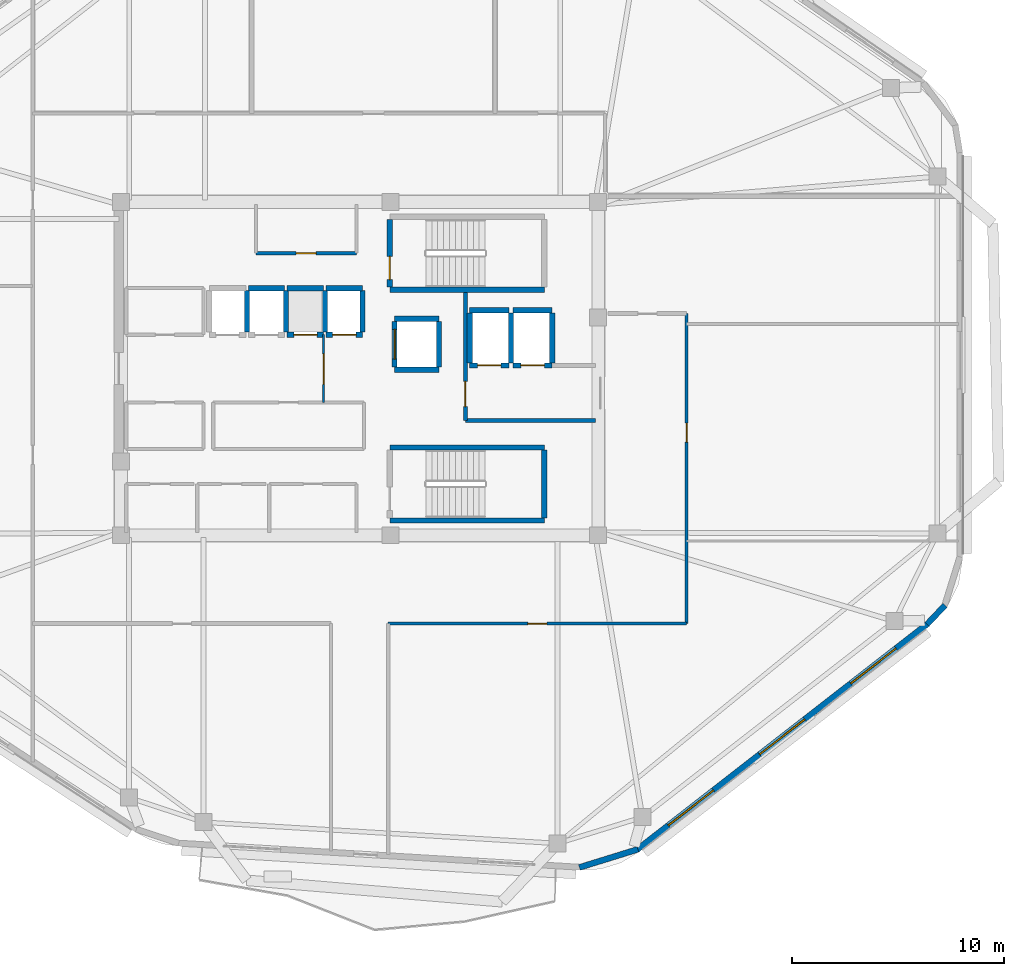
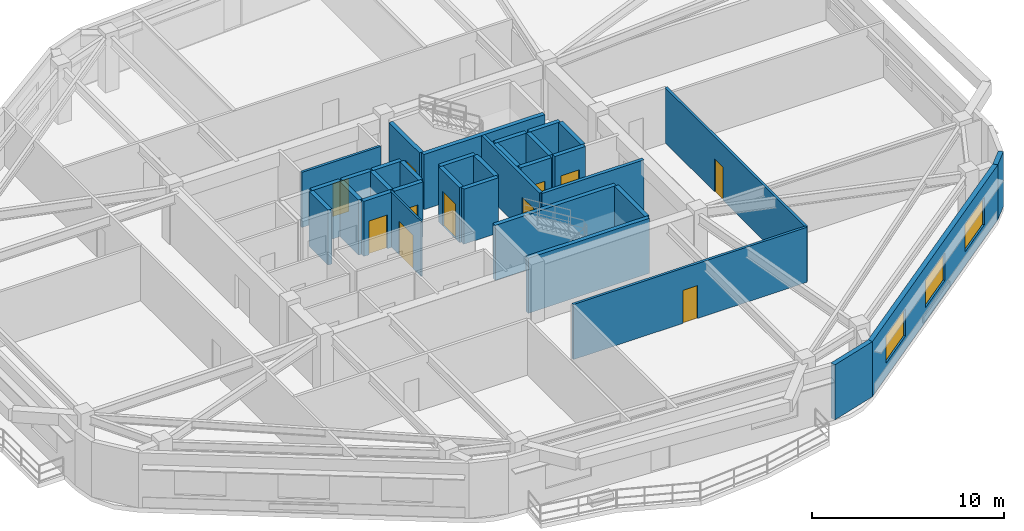
# One storey, part 4 of 10: 34 walls, 11 doors, 3 windows, 14 openings.
"""IFC4 building model written with IfcOpenShell, lengths in metres."""

from ifc_helpers import new_model, si_unit, direction, frame, frame_2d, origin, place, context, subcontext, project, spatial, rectangle, extrude, material, layer, layer_set, type_object, element, fill, save


model = new_model("IFC4")

# Units and contexts
model_context = context("Model", 3, precision=1e-05, world=origin(), true_north=direction((0.0, 1.0)))
body_context = subcontext(model_context, "Body", "Model", "MODEL_VIEW")
ifc_project = project(units=[si_unit("LENGTHUNIT", "METRE"), si_unit("AREAUNIT", "SQUARE_METRE"), si_unit("VOLUMEUNIT", "CUBIC_METRE"), si_unit("PLANEANGLEUNIT", "RADIAN"), si_unit("MASSUNIT", "GRAM", prefix="KILO")], contexts=[model_context])

# Site, building, storey
site_placement = place(None, origin())
site = spatial("IfcSite", under=ifc_project, at=site_placement, CompositionType="ELEMENT")
building_placement = place(site_placement, origin())
building = spatial("IfcBuilding", under=site, at=building_placement, Name="Zulverin Broadcast Headquarters", CompositionType="ELEMENT")
storey_placement = place(building_placement, frame((0.0, 0.0, 236.39990234375)))
storey = spatial("IfcBuildingStorey", under=building, at=storey_placement, Name="L60", CompositionType="ELEMENT", Elevation=236.39990234375)

# Wall, openings, windows
ifc_material_1 = material(Name="Insulated pale-metal clad concrete spandrel C40/50", Category="concrete")
ifc_layer_1 = layer(ifc_material_1, 0.280029296875, Name="Insulated pale-metal clad concrete spandrel C40/50", Category="concrete")
ifc_layer_set_1 = layer_set([ifc_layer_1], Name="Insulated pale-metal clad concrete spandrel C40/50")
wall_type_1 = type_object("IfcWallType", Name="WL-EXT-280", PredefinedType="STANDARD", material=ifc_layer_set_1)
wall_1_placement = place(storey_placement, frame((50.10400390625, 2.458984375, 0.0), z_axis=(0.0, 0.0, 1.0), x_axis=(0.789464857485, 0.613795763097, 0.0)))
wall_1 = element("IfcWall", 1, at=wall_1_placement, inside=storey, type_object=wall_type_1, Name="L60 Pale-Metal Clad Spandrel Wall 2", PredefinedType="STANDARD", context=body_context, shape_type="SweptSolid", body=[
    extrude(rectangle(XDim=17.387451171875, YDim=0.280029296875, at=frame_2d((8.69384765625, 0.0))), origin(), (0.0, 0.0, 1.0), 3.510009765625),
])
opening_1_placement = place(wall_1_placement, frame((1.881103515625, 0.0, 0.89990234375)))
opening_1 = element("IfcOpeningElement", 2, at=opening_1_placement, cuts=wall_1, Name="Opening W-L60-E21", PredefinedType="OPENING", context=body_context, shape_type="SweptSolid", body=[
    extrude(rectangle(XDim=2.699951171875, YDim=1.75, at=frame_2d((1.35009765625, 0.875))), frame((0.0, 0.14990234375, 0.0), z_axis=(0.0, -1.0, 0.0), x_axis=(1.0, 0.0, 0.0)), (0.0, 0.0, 1.0), 0.300048828125),
])
opening_2_placement = place(wall_1_placement, frame((7.34375, 0.0, 0.89990234375)))
opening_2 = element("IfcOpeningElement", 3, at=opening_2_placement, cuts=wall_1, Name="Opening W-L60-E22", PredefinedType="OPENING", context=body_context, shape_type="SweptSolid", body=[
    extrude(rectangle(XDim=2.699951171875, YDim=1.75, at=frame_2d((1.35009765625, 0.875))), frame((0.0, 0.14990234375, 0.0), z_axis=(0.0, -1.0, 0.0), x_axis=(1.0, 0.0, 0.0)), (0.0, 0.0, 1.0), 0.300048828125),
])
opening_3_placement = place(wall_1_placement, frame((12.80615234375, 0.0, 0.89990234375)))
opening_3 = element("IfcOpeningElement", 4, at=opening_3_placement, cuts=wall_1, Name="Opening W-L60-E23", PredefinedType="OPENING", context=body_context, shape_type="SweptSolid", body=[
    extrude(rectangle(XDim=2.699951171875, YDim=1.75, at=frame_2d((1.35009765625, 0.875))), frame((0.0, 0.14990234375, 0.0), z_axis=(0.0, -1.0, 0.0), x_axis=(1.0, 0.0, 0.0)), (0.0, 0.0, 1.0), 0.300048828125),
])
ifc_material_2 = material(Name="Pale anodized aluminium frame with solar-control low-E double glazing", Category="aluminium")
window_type = type_object("IfcWindowType", Name="WIN-TWR-2700", PartitioningType="SINGLE_PANEL", PredefinedType="WINDOW", material=ifc_material_2)
window_1_placement = place(opening_1_placement, origin())
window_1 = element("IfcWindow", 5, at=window_1_placement, inside=storey, type_object=window_type, Name="L60 Ribbon Glazing Window 2 1", OverallHeight=1.75, OverallWidth=2.699951171875, PartitioningType="SINGLE_PANEL", PredefinedType="WINDOW", context=body_context, shape_type="SweptSolid", body=[
    extrude(rectangle(XDim=2.699951171875, YDim=1.75, at=frame_2d((1.35009765625, 0.875))), frame((0.0, 0.030029296875, 0.0), z_axis=(0.0, -1.0, 0.0), x_axis=(1.0, 0.0, 0.0)), (0.0, 0.0, 1.0), 0.06005859375),
])
fill(opening_1, window_1)
window_2_placement = place(opening_2_placement, origin())
window_2 = element("IfcWindow", 6, at=window_2_placement, inside=storey, type_object=window_type, Name="L60 Ribbon Glazing Window 2 2", OverallHeight=1.75, OverallWidth=2.699951171875, PartitioningType="SINGLE_PANEL", PredefinedType="WINDOW", context=body_context, shape_type="SweptSolid", body=[
    extrude(rectangle(XDim=2.699951171875, YDim=1.75, at=frame_2d((1.35009765625, 0.875))), frame((0.0, 0.030029296875, 0.0), z_axis=(0.0, -1.0, 0.0), x_axis=(1.0, 0.0, 0.0)), (0.0, 0.0, 1.0), 0.06005859375),
])
fill(opening_2, window_2)
window_3_placement = place(opening_3_placement, origin())
window_3 = element("IfcWindow", 7, at=window_3_placement, inside=storey, type_object=window_type, Name="L60 Ribbon Glazing Window 2 3", OverallHeight=1.75, OverallWidth=2.699951171875, PartitioningType="SINGLE_PANEL", PredefinedType="WINDOW", context=body_context, shape_type="SweptSolid", body=[
    extrude(rectangle(XDim=2.699951171875, YDim=1.75, at=frame_2d((1.35009765625, 0.875))), frame((0.0, 0.030029296875, 0.0), z_axis=(0.0, -1.0, 0.0), x_axis=(1.0, 0.0, 0.0)), (0.0, 0.0, 1.0), 0.06005859375),
])
fill(opening_3, window_3)

# Walls
wall_2_placement = place(storey_placement, frame((47.38623046875, 1.626220703125, 0.0), z_axis=(0.0, 0.0, 1.0), x_axis=(0.955189316149, 0.29599555793, 0.0)))
element("IfcWall", 8, at=wall_2_placement, inside=storey, type_object=wall_type_1, Name="L60 Wind-Shaped Corner Spandrel Wall 1-1", PredefinedType="STANDARD", context=body_context, shape_type="SweptSolid", body=[
    extrude(rectangle(XDim=2.891845703125, YDim=0.280029296875, at=frame_2d((1.44580078125, 0.0))), origin(), (0.0, 0.0, 1.0), 3.510009765625),
])
wall_3_placement = place(storey_placement, frame((63.81494140625, 13.1171875, 0.0), z_axis=(0.0, 0.0, 1.0), x_axis=(0.687733716128, 0.725963040176, 0.0)))
element("IfcWall", 9, at=wall_3_placement, inside=storey, type_object=wall_type_1, Name="L60 Wind-Shaped Corner Spandrel Wall 2-1", PredefinedType="STANDARD", context=body_context, shape_type="SweptSolid", body=[
    extrude(rectangle(XDim=1.239013671875, YDim=0.280029296875, at=frame_2d((0.61962890625, 0.0))), origin(), (0.0, 0.0, 1.0), 3.510009765625),
])

# Wall, opening, door
ifc_material_3 = material(Name="Concrete C40/50", Category="concrete")
ifc_layer_2 = layer(ifc_material_3, 0.199951171875, Name="Concrete C40/50", Category="concrete")
ifc_layer_set_2 = layer_set([ifc_layer_2], Name="Concrete C40/50")
wall_type_2 = type_object("IfcWallType", Name="WL-FFL-200", PredefinedType="SOLIDWALL", material=ifc_layer_set_2)
wall_4_placement = place(storey_placement, frame((42.0, 22.75, 0.0), z_axis=(0.0, 0.0, 1.0), x_axis=(0.0, 1.0, 0.0)))
wall_4 = element("IfcWall", 10, at=wall_4_placement, inside=storey, type_object=wall_type_2, Name="L60 Firefighting Lift Lobby West Wall", PredefinedType="SOLIDWALL", context=body_context, shape_type="SweptSolid", body=[
    extrude(rectangle(XDim=6.050048828125, YDim=0.199951171875, at=frame_2d((3.02490234375, 0.0))), origin(), (0.0, 0.0, 1.0), 3.510009765625),
])
opening_4_placement = place(wall_4_placement, frame((0.64990234375, 0.0, 0.0)))
opening_4 = element("IfcOpeningElement", 11, at=opening_4_placement, cuts=wall_4, Name="Opening D-L60-FFLW", PredefinedType="OPENING", context=body_context, shape_type="SweptSolid", body=[
    extrude(rectangle(XDim=1.199951171875, YDim=2.14990234375, at=frame_2d((0.60009765625, 1.074951171875))), frame((0.0, 0.10986328125, 0.0), z_axis=(0.0, -1.0, 0.0), x_axis=(1.0, 0.0, 0.0)), (0.0, 0.0, 1.0), 0.219970703125),
])
ifc_material_4 = material(Name="Fire-rated steel leaf and frame", Category="steel")
door_type_1 = type_object("IfcDoorType", Name="DR-FFL-1200", OperationType="SINGLE_SWING_RIGHT", PredefinedType="DOOR", material=ifc_material_4)
door_1_placement = place(opening_4_placement, origin())
door_1 = element("IfcDoor", 12, at=door_1_placement, inside=storey, type_object=door_type_1, Name="L60 Firefighting Lift Lobby Door", OperationType="SINGLE_SWING_RIGHT", OverallHeight=2.14990234375, OverallWidth=1.199951171875, PredefinedType="DOOR", context=body_context, shape_type="SweptSolid", body=[
    extrude(rectangle(XDim=1.199951171875, YDim=2.14990234375, at=frame_2d((0.60009765625, 1.074951171875))), frame((0.0, 0.02490234375, 0.0), z_axis=(0.0, -1.0, 0.0), x_axis=(1.0, 0.0, 0.0)), (0.0, 0.0, 1.0), 0.050048828125),
])
fill(opening_4, door_1)

# Wall
wall_5_placement = place(storey_placement, frame((42.0, 22.75, 0.0), z_axis=(0.0, 0.0, 1.0), x_axis=(1.0, 0.0, 0.0)))
element("IfcWall", 13, at=wall_5_placement, inside=storey, type_object=wall_type_2, Name="L60 Firefighting Lift Lobby South Wall", PredefinedType="SOLIDWALL", context=body_context, shape_type="SweptSolid", body=[
    extrude(rectangle(XDim=6.14990234375, YDim=0.199951171875, at=frame_2d((3.074951171875, 0.0))), origin(), (0.0, 0.0, 1.0), 3.510009765625),
])

# Wall, opening, door
ifc_material_5 = material(Name="Fire-rated acoustic laminated glass screen", Category="glass")
ifc_layer_3 = layer(ifc_material_5, 0.10009765625, Name="Fire-rated acoustic laminated glass screen", Category="glass")
ifc_layer_set_3 = layer_set([ifc_layer_3], Name="Fire-rated acoustic laminated glass screen")
wall_type_3 = type_object("IfcWallType", Name="WL-GLAZ-100", PredefinedType="PARTITIONING", material=ifc_layer_set_3)
wall_6_placement = place(storey_placement, frame((35.300048828125, 23.60009765625, 0.0), z_axis=(0.0, 0.0, 1.0), x_axis=(0.0, 1.0, 0.0)))
wall_6 = element("IfcWall", 14, at=wall_6_placement, inside=storey, type_object=wall_type_3, Name="L60 Central Core Smoke Vestibule Screen", PredefinedType="PARTITIONING", context=body_context, shape_type="SweptSolid", body=[
    extrude(rectangle(XDim=3.199951171875, YDim=0.10009765625, at=frame_2d((1.60009765625, 0.0))), origin(), (0.0, 0.0, 1.0), 3.510009765625),
])
opening_5_placement = place(wall_6_placement, frame((0.85009765625, 0.0, 0.0)))
opening_5 = element("IfcOpeningElement", 15, at=opening_5_placement, cuts=wall_6, Name="Opening D-L60-CL2", PredefinedType="OPENING", context=body_context, shape_type="SweptSolid", body=[
    extrude(rectangle(XDim=1.449951171875, YDim=2.1201171875, at=frame_2d((0.72509765625, 1.06005859375))), frame((0.0, 0.06005859375, 0.0), z_axis=(0.0, -1.0, 0.0), x_axis=(1.0, 0.0, 0.0)), (0.0, 0.0, 1.0), 0.1201171875),
])
ifc_material_6 = material(Name="Fire-rated acoustic glazed double leaf", Category="glass")
door_type_2 = type_object("IfcDoorType", Name="DR-GLZ-1450", OperationType="DOUBLE_DOOR_SINGLE_SWING", PredefinedType="DOOR", material=ifc_material_6)
door_2_placement = place(opening_5_placement, origin())
door_2 = element("IfcDoor", 16, at=door_2_placement, inside=storey, type_object=door_type_2, Name="L60 Central Core Smoke Vestibule Door", OperationType="DOUBLE_DOOR_SINGLE_SWING", OverallHeight=2.1201171875, OverallWidth=1.449951171875, PredefinedType="DOOR", context=body_context, shape_type="SweptSolid", body=[
    extrude(rectangle(XDim=1.449951171875, YDim=2.1201171875, at=frame_2d((0.72509765625, 1.06005859375))), frame((0.0, 0.02490234375, 0.0), z_axis=(0.0, -1.0, 0.0), x_axis=(1.0, 0.0, 0.0)), (0.0, 0.0, 1.0), 0.050048828125),
])
fill(opening_5, door_2)

ifc_material_7 = material(Name="Fire-rated gypsum stud partition", Category="gypsum")
ifc_layer_4 = layer(ifc_material_7, 0.14990234375, Name="Fire-rated gypsum stud partition", Category="gypsum")
ifc_layer_set_4 = layer_set([ifc_layer_4], Name="Fire-rated gypsum stud partition")
wall_type_4 = type_object("IfcWallType", Name="WL-PART-150", PredefinedType="PARTITIONING", material=ifc_layer_set_4)
wall_7_placement = place(storey_placement, frame((32.10009765625, 30.64990234375, 0.0), z_axis=(0.0, 0.0, 1.0), x_axis=(1.0, 0.0, 0.0)))
wall_7 = element("IfcWall", 17, at=wall_7_placement, inside=storey, type_object=wall_type_4, Name="L60 Core Accessible WC & Electrical Riser Front Wall", PredefinedType="PARTITIONING", context=body_context, shape_type="SweptSolid", body=[
    extrude(rectangle(XDim=4.75, YDim=0.14990234375, at=frame_2d((2.375, 0.0))), origin(), (0.0, 0.0, 1.0), 3.510009765625),
])
opening_6_placement = place(wall_7_placement, frame((1.89990234375, 0.0, 0.0)))
opening_6 = element("IfcOpeningElement", 18, at=opening_6_placement, cuts=wall_7, Name="Opening D-L60-NC1", PredefinedType="OPENING", context=body_context, shape_type="SweptSolid", body=[
    extrude(rectangle(XDim=0.949951171875, YDim=2.10009765625, at=frame_2d((0.47509765625, 1.050048828125))), frame((0.0, 0.0849609375, 0.0), z_axis=(0.0, -1.0, 0.0), x_axis=(1.0, 0.0, 0.0)), (0.0, 0.0, 1.0), 0.169921875),
])
ifc_material_8 = material(Name="Fire-rated moisture-resistant laminate leaf", Category="wood")
door_type_3 = type_object("IfcDoorType", Name="DR-WC-950", OperationType="SINGLE_SWING_LEFT", PredefinedType="DOOR", material=ifc_material_8)
door_3_placement = place(opening_6_placement, origin())
door_3 = element("IfcDoor", 19, at=door_3_placement, inside=storey, type_object=door_type_3, Name="L60 Accessible WC & Electrical Riser Door", OperationType="SINGLE_SWING_LEFT", OverallHeight=2.10009765625, OverallWidth=0.949951171875, PredefinedType="DOOR", context=body_context, shape_type="SweptSolid", body=[
    extrude(rectangle(XDim=0.949951171875, YDim=2.10009765625, at=frame_2d((0.47509765625, 1.050048828125))), frame((0.0, 0.02490234375, 0.0), z_axis=(0.0, -1.0, 0.0), x_axis=(1.0, 0.0, 0.0)), (0.0, 0.0, 1.0), 0.050048828125),
])
fill(opening_6, door_3)

wall_8_placement = place(storey_placement, frame((52.449951171875, 13.14990234375, 0.0), z_axis=(0.0, 0.0, 1.0), x_axis=(0.0, 1.0, 0.0)))
wall_8 = element("IfcWall", 20, at=wall_8_placement, inside=storey, type_object=wall_type_4, Name="L60 Gallery Partition Wall CG-01", PredefinedType="PARTITIONING", context=body_context, shape_type="SweptSolid", body=[
    extrude(rectangle(XDim=14.650146484375, YDim=0.14990234375, at=frame_2d((7.3251953125, 0.0))), origin(), (0.0, 0.0, 1.0), 3.510009765625),
])
opening_7_placement = place(wall_8_placement, frame((8.574951171875, 0.0, 0.0)))
opening_7 = element("IfcOpeningElement", 21, at=opening_7_placement, cuts=wall_8, Name="Opening D-L60-08", PredefinedType="OPENING", context=body_context, shape_type="SweptSolid", body=[
    extrude(rectangle(XDim=0.89990234375, YDim=2.10009765625, at=frame_2d((0.449951171875, 1.050048828125))), frame((0.0, 0.0849609375, 0.0), z_axis=(0.0, -1.0, 0.0), x_axis=(1.0, 0.0, 0.0)), (0.0, 0.0, 1.0), 0.169921875),
])
ifc_material_9 = material(Name="Fire-rated hardwood veneer timber leaf", Category="wood")
door_type_4 = type_object("IfcDoorType", Name="DR-ROOM-900", OperationType="SINGLE_SWING_RIGHT", PredefinedType="DOOR", material=ifc_material_9)
door_4_placement = place(opening_7_placement, origin())
door_4 = element("IfcDoor", 22, at=door_4_placement, inside=storey, type_object=door_type_4, Name="L60 Tea Pantry Door", OperationType="SINGLE_SWING_RIGHT", OverallHeight=2.10009765625, OverallWidth=0.89990234375, PredefinedType="DOOR", context=body_context, shape_type="SweptSolid", body=[
    extrude(rectangle(XDim=0.89990234375, YDim=2.10009765625, at=frame_2d((0.449951171875, 1.050048828125))), frame((0.0, 0.02490234375, 0.0), z_axis=(0.0, -1.0, 0.0), x_axis=(1.0, 0.0, 0.0)), (0.0, 0.0, 1.0), 0.050048828125),
])
fill(opening_7, door_4)

wall_9_placement = place(storey_placement, frame((38.35009765625, 13.14990234375, 0.0), z_axis=(0.0, 0.0, 1.0), x_axis=(1.0, 0.0, 0.0)))
wall_9 = element("IfcWall", 23, at=wall_9_placement, inside=storey, type_object=wall_type_4, Name="L60 Gallery Partition Wall CG-09", PredefinedType="PARTITIONING", context=body_context, shape_type="SweptSolid", body=[
    extrude(rectangle(XDim=14.099853515625, YDim=0.14990234375, at=frame_2d((7.0498046875, 0.0))), origin(), (0.0, 0.0, 1.0), 3.510009765625),
])
opening_8_placement = place(wall_9_placement, frame((6.60009765625, 0.0, 0.0)))
opening_8 = element("IfcOpeningElement", 24, at=opening_8_placement, cuts=wall_9, Name="Opening D-L60-05", PredefinedType="OPENING", context=body_context, shape_type="SweptSolid", body=[
    extrude(rectangle(XDim=0.89990234375, YDim=2.10009765625, at=frame_2d((0.449951171875, 1.050048828125))), frame((0.0, 0.0849609375, 0.0), z_axis=(0.0, -1.0, 0.0), x_axis=(1.0, 0.0, 0.0)), (0.0, 0.0, 1.0), 0.169921875),
])
door_5_placement = place(opening_8_placement, origin())
door_5 = element("IfcDoor", 25, at=door_5_placement, inside=storey, type_object=door_type_4, Name="L60 Interview Room Door", OperationType="SINGLE_SWING_LEFT", OverallHeight=2.10009765625, OverallWidth=0.89990234375, PredefinedType="DOOR", context=body_context, shape_type="SweptSolid", body=[
    extrude(rectangle(XDim=0.89990234375, YDim=2.10009765625, at=frame_2d((0.449951171875, 1.050048828125))), frame((0.0, 0.02490234375, 0.0), z_axis=(0.0, -1.0, 0.0), x_axis=(1.0, 0.0, 0.0)), (0.0, 0.0, 1.0), 0.050048828125),
])
fill(opening_8, door_5)

# Wall
ifc_material_10 = material(Name="Concrete C50/60", Category="concrete")
ifc_layer_5 = layer(ifc_material_10, 0.25, Name="Concrete C50/60", Category="concrete")
ifc_layer_set_5 = layer_set([ifc_layer_5], Name="Concrete C50/60")
wall_type_5 = type_object("IfcWallType", Name="WL-SHAFT-250", PredefinedType="SHEAR", material=ifc_layer_set_5)
wall_10_placement = place(storey_placement, frame((38.425048828125, 28.925048828125, 0.0), z_axis=(0.0, 0.0, 1.0), x_axis=(1.0, 0.0, 0.0)))
element("IfcWall", 26, at=wall_10_placement, inside=storey, type_object=wall_type_5, Name="L60 ST-1 Enclosure Wall S", PredefinedType="SHEAR", context=body_context, shape_type="SweptSolid", body=[
    extrude(rectangle(XDim=7.300048828125, YDim=0.25, at=frame_2d((3.64990234375, 0.0))), origin(), (0.0, 0.0, 1.0), 3.510009765625),
])

# Wall, opening, door
wall_11_placement = place(storey_placement, frame((38.425048828125, 29.050048828125, 0.0), z_axis=(0.0, 0.0, 1.0), x_axis=(0.0, 1.0, 0.0)))
wall_11 = element("IfcWall", 27, at=wall_11_placement, inside=storey, type_object=wall_type_5, Name="L60 ST-1 Enclosure Wall W", PredefinedType="SHEAR", context=body_context, shape_type="SweptSolid", body=[
    extrude(rectangle(XDim=3.199951171875, YDim=0.25, at=frame_2d((1.60009765625, 0.0))), origin(), (0.0, 0.0, 1.0), 3.510009765625),
])
opening_9_placement = place(wall_11_placement, frame((0.35009765625, 0.0, 0.0)))
opening_9 = element("IfcOpeningElement", 28, at=opening_9_placement, cuts=wall_11, Name="Opening D-L60-ST-1", PredefinedType="OPENING", context=body_context, shape_type="SweptSolid", body=[
    extrude(rectangle(XDim=1.10009765625, YDim=2.14990234375, at=frame_2d((0.550048828125, 1.074951171875))), frame((0.0, 0.135009765625, 0.0), z_axis=(0.0, -1.0, 0.0), x_axis=(1.0, 0.0, 0.0)), (0.0, 0.0, 1.0), 0.27001953125),
])
door_type_5 = type_object("IfcDoorType", Name="DR-STAIR-1100", OperationType="SINGLE_SWING_LEFT", PredefinedType="DOOR", material=ifc_material_4)
door_6_placement = place(opening_9_placement, origin())
door_6 = element("IfcDoor", 29, at=door_6_placement, inside=storey, type_object=door_type_5, Name="L60 Exit Stair ST-1 Fire Door", OperationType="SINGLE_SWING_LEFT", OverallHeight=2.14990234375, OverallWidth=1.10009765625, PredefinedType="DOOR", context=body_context, shape_type="SweptSolid", body=[
    extrude(rectangle(XDim=1.10009765625, YDim=2.14990234375, at=frame_2d((0.550048828125, 1.074951171875))), frame((0.0, 0.02490234375, 0.0), z_axis=(0.0, -1.0, 0.0), x_axis=(1.0, 0.0, 0.0)), (0.0, 0.0, 1.0), 0.050048828125),
])
fill(opening_9, door_6)

# Walls
for number, where, z_axis, x_axis, name in (
    (30, (38.425048828125, 18.02490234375, 0.0), (0.0, 0.0, 1.0), (1.0, 0.0, 0.0), "L60 ST-2 Enclosure Wall S"),
    (31, (38.425048828125, 21.47509765625, 0.0), (0.0, 0.0, 1.0), (1.0, 0.0, 0.0), "L60 ST-2 Enclosure Wall N"),
):
    element("IfcWall", number, at=place(storey_placement, frame(where, z_axis=z_axis, x_axis=x_axis)), inside=storey, type_object=wall_type_5, Name=name, PredefinedType="SHEAR", context=body_context, shape_type="SweptSolid", body=[
        extrude(rectangle(XDim=7.300048828125, YDim=0.25, at=frame_2d((3.64990234375, 0.0))), origin(), (0.0, 0.0, 1.0), 3.510009765625),
    ])
wall_12_placement = place(storey_placement, frame((45.72509765625, 18.14990234375, 0.0), z_axis=(0.0, 0.0, 1.0), x_axis=(0.0, 1.0, 0.0)))
element("IfcWall", 32, at=wall_12_placement, inside=storey, type_object=wall_type_5, Name="L60 ST-2 Enclosure Wall E", PredefinedType="SHEAR", context=body_context, shape_type="SweptSolid", body=[
    extrude(rectangle(XDim=3.2001953125, YDim=0.25, at=frame_2d((1.60009765625, 0.0))), origin(), (0.0, 0.0, 1.0), 3.510009765625),
])
wall_13_placement = place(storey_placement, frame((31.679931640625, 26.919921875, 0.0), z_axis=(0.0, 0.0, 1.0), x_axis=(0.0, 1.0, 0.0)))
element("IfcWall", 33, at=wall_13_placement, inside=storey, type_object=wall_type_5, Name="L60 Lift PL-H1 Shaft Wall E", PredefinedType="SHEAR", context=body_context, shape_type="SweptSolid", body=[
    extrude(rectangle(XDim=1.9599609375, YDim=0.25, at=frame_2d((0.97998046875, 0.0))), origin(), (0.0, 0.0, 1.0), 3.510009765625),
])
wall_14_placement = place(storey_placement, frame((31.739990234375, 29.0, 0.0), z_axis=(0.0, 0.0, 1.0), x_axis=(1.0, 0.0, 0.0)))
element("IfcWall", 34, at=wall_14_placement, inside=storey, type_object=wall_type_5, Name="L60 Lift PL-H2 Shaft Wall N", PredefinedType="SHEAR", context=body_context, shape_type="SweptSolid", body=[
    extrude(rectangle(XDim=1.719970703125, YDim=0.25, at=frame_2d((0.85986328125, 0.0))), origin(), (0.0, 0.0, 1.0), 3.510009765625),
])
wall_15_placement = place(storey_placement, frame((33.52001953125, 26.919921875, 0.0), z_axis=(0.0, 0.0, 1.0), x_axis=(0.0, 1.0, 0.0)))
element("IfcWall", 35, at=wall_15_placement, inside=storey, type_object=wall_type_5, Name="L60 Lift PL-H2 Shaft Wall E", PredefinedType="SHEAR", context=body_context, shape_type="SweptSolid", body=[
    extrude(rectangle(XDim=1.9599609375, YDim=0.25, at=frame_2d((0.97998046875, 0.0))), origin(), (0.0, 0.0, 1.0), 3.510009765625),
])

# Wall, opening, door
wall_16_placement = place(storey_placement, frame((33.580078125, 26.800048828125, 0.0), z_axis=(0.0, 0.0, 1.0), x_axis=(1.0, 0.0, 0.0)))
wall_16 = element("IfcWall", 36, at=wall_16_placement, inside=storey, type_object=wall_type_5, Name="L60 Lift PL-H3 Shaft Wall S", PredefinedType="SHEAR", context=body_context, shape_type="SweptSolid", body=[
    extrude(rectangle(XDim=1.719970703125, YDim=0.25, at=frame_2d((0.85986328125, 0.0))), origin(), (0.0, 0.0, 1.0), 3.510009765625),
])
opening_10_placement = place(wall_16_placement, frame((0.31005859375, 0.0, 0.0)))
opening_10 = element("IfcOpeningElement", 37, at=opening_10_placement, cuts=wall_16, Name="Opening LD-PL-H3-L60", PredefinedType="OPENING", context=body_context, shape_type="SweptSolid", body=[
    extrude(rectangle(XDim=1.10009765625, YDim=2.14990234375, at=frame_2d((0.550048828125, 1.074951171875))), frame((0.0, 0.135009765625, 0.0), z_axis=(0.0, -1.0, 0.0), x_axis=(1.0, 0.0, 0.0)), (0.0, 0.0, 1.0), 0.27001953125),
])
ifc_material_11 = material(Name="Brushed stainless steel landing", Category="steel")
door_type_6 = type_object("IfcDoorType", Name="LD-PASS-1100", OperationType="DOUBLE_DOOR_SLIDING", PredefinedType="DOOR", material=ifc_material_11)
door_7_placement = place(opening_10_placement, origin())
door_7 = element("IfcDoor", 38, at=door_7_placement, inside=storey, type_object=door_type_6, Name="L60 Lift PL-H3 Sliding Landing Door", OperationType="DOUBLE_DOOR_SLIDING", OverallHeight=2.14990234375, OverallWidth=1.10009765625, PredefinedType="DOOR", context=body_context, shape_type="SweptSolid", body=[
    extrude(rectangle(XDim=1.10009765625, YDim=2.14990234375, at=frame_2d((0.550048828125, 1.074951171875))), frame((0.0, 0.02490234375, 0.0), z_axis=(0.0, -1.0, 0.0), x_axis=(1.0, 0.0, 0.0)), (0.0, 0.0, 1.0), 0.050048828125),
])
fill(opening_10, door_7)

# Walls
wall_17_placement = place(storey_placement, frame((33.580078125, 29.0, 0.0), z_axis=(0.0, 0.0, 1.0), x_axis=(1.0, 0.0, 0.0)))
element("IfcWall", 39, at=wall_17_placement, inside=storey, type_object=wall_type_5, Name="L60 Lift PL-H3 Shaft Wall N", PredefinedType="SHEAR", context=body_context, shape_type="SweptSolid", body=[
    extrude(rectangle(XDim=1.719970703125, YDim=0.25, at=frame_2d((0.85986328125, 0.0))), origin(), (0.0, 0.0, 1.0), 3.510009765625),
])
wall_18_placement = place(storey_placement, frame((35.360107421875, 26.919921875, 0.0), z_axis=(0.0, 0.0, 1.0), x_axis=(0.0, 1.0, 0.0)))
element("IfcWall", 40, at=wall_18_placement, inside=storey, type_object=wall_type_5, Name="L60 Lift PL-H3 Shaft Wall E", PredefinedType="SHEAR", context=body_context, shape_type="SweptSolid", body=[
    extrude(rectangle(XDim=1.9599609375, YDim=0.25, at=frame_2d((0.97998046875, 0.0))), origin(), (0.0, 0.0, 1.0), 3.510009765625),
])

# Wall, opening, door
wall_19_placement = place(storey_placement, frame((35.419921875, 26.800048828125, 0.0), z_axis=(0.0, 0.0, 1.0), x_axis=(1.0, 0.0, 0.0)))
wall_19 = element("IfcWall", 41, at=wall_19_placement, inside=storey, type_object=wall_type_5, Name="L60 Lift PL-H4 Shaft Wall S", PredefinedType="SHEAR", context=body_context, shape_type="SweptSolid", body=[
    extrude(rectangle(XDim=1.719970703125, YDim=0.25, at=frame_2d((0.85986328125, 0.0))), origin(), (0.0, 0.0, 1.0), 3.510009765625),
])
opening_11_placement = place(wall_19_placement, frame((0.31005859375, 0.0, 0.0)))
opening_11 = element("IfcOpeningElement", 42, at=opening_11_placement, cuts=wall_19, Name="Opening LD-PL-H4-L60", PredefinedType="OPENING", context=body_context, shape_type="SweptSolid", body=[
    extrude(rectangle(XDim=1.10009765625, YDim=2.14990234375, at=frame_2d((0.550048828125, 1.074951171875))), frame((0.0, 0.135009765625, 0.0), z_axis=(0.0, -1.0, 0.0), x_axis=(1.0, 0.0, 0.0)), (0.0, 0.0, 1.0), 0.27001953125),
])
door_8_placement = place(opening_11_placement, origin())
door_8 = element("IfcDoor", 43, at=door_8_placement, inside=storey, type_object=door_type_6, Name="L60 Lift PL-H4 Sliding Landing Door", OperationType="DOUBLE_DOOR_SLIDING", OverallHeight=2.14990234375, OverallWidth=1.10009765625, PredefinedType="DOOR", context=body_context, shape_type="SweptSolid", body=[
    extrude(rectangle(XDim=1.10009765625, YDim=2.14990234375, at=frame_2d((0.550048828125, 1.074951171875))), frame((0.0, 0.02490234375, 0.0), z_axis=(0.0, -1.0, 0.0), x_axis=(1.0, 0.0, 0.0)), (0.0, 0.0, 1.0), 0.050048828125),
])
fill(opening_11, door_8)

# Walls
wall_20_placement = place(storey_placement, frame((35.419921875, 29.0, 0.0), z_axis=(0.0, 0.0, 1.0), x_axis=(1.0, 0.0, 0.0)))
element("IfcWall", 44, at=wall_20_placement, inside=storey, type_object=wall_type_5, Name="L60 Lift PL-H4 Shaft Wall N", PredefinedType="SHEAR", context=body_context, shape_type="SweptSolid", body=[
    extrude(rectangle(XDim=1.719970703125, YDim=0.25, at=frame_2d((0.85986328125, 0.0))), origin(), (0.0, 0.0, 1.0), 3.510009765625),
])
wall_21_placement = place(storey_placement, frame((37.139892578125, 26.919921875, 0.0), z_axis=(0.0, 0.0, 1.0), x_axis=(0.0, 1.0, 0.0)))
element("IfcWall", 45, at=wall_21_placement, inside=storey, type_object=wall_type_5, Name="L60 Lift PL-H4 Shaft Wall E", PredefinedType="SHEAR", context=body_context, shape_type="SweptSolid", body=[
    extrude(rectangle(XDim=1.9599609375, YDim=0.25, at=frame_2d((0.97998046875, 0.0))), origin(), (0.0, 0.0, 1.0), 3.510009765625),
])

# Wall, opening, door
wall_22_placement = place(storey_placement, frame((42.199951171875, 25.35009765625, 0.0), z_axis=(0.0, 0.0, 1.0), x_axis=(1.0, 0.0, 0.0)))
wall_22 = element("IfcWall", 46, at=wall_22_placement, inside=storey, type_object=wall_type_5, Name="L60 Lift FFL-1 Shaft Wall S", PredefinedType="SHEAR", context=body_context, shape_type="SweptSolid", body=[
    extrude(rectangle(XDim=1.85009765625, YDim=0.25, at=frame_2d((0.925048828125, 0.0))), origin(), (0.0, 0.0, 1.0), 3.510009765625),
])
opening_12_placement = place(wall_22_placement, frame((0.375, 0.0, 0.0)))
opening_12 = element("IfcOpeningElement", 47, at=opening_12_placement, cuts=wall_22, Name="Opening LD-FFL-1-L60", PredefinedType="OPENING", context=body_context, shape_type="SweptSolid", body=[
    extrude(rectangle(XDim=1.10009765625, YDim=2.14990234375, at=frame_2d((0.550048828125, 1.074951171875))), frame((0.0, 0.135009765625, 0.0), z_axis=(0.0, -1.0, 0.0), x_axis=(1.0, 0.0, 0.0)), (0.0, 0.0, 1.0), 0.27001953125),
])
ifc_material_12 = material(Name="Fire-rated stainless landing door", Category="steel")
door_type_7 = type_object("IfcDoorType", Name="LD-FFL-1100", OperationType="DOUBLE_DOOR_SLIDING", PredefinedType="DOOR", material=ifc_material_12)
door_9_placement = place(opening_12_placement, origin())
door_9 = element("IfcDoor", 48, at=door_9_placement, inside=storey, type_object=door_type_7, Name="L60 Lift FFL-1 Sliding Landing Door", OperationType="DOUBLE_DOOR_SLIDING", OverallHeight=2.14990234375, OverallWidth=1.10009765625, PredefinedType="DOOR", context=body_context, shape_type="SweptSolid", body=[
    extrude(rectangle(XDim=1.10009765625, YDim=2.14990234375, at=frame_2d((0.550048828125, 1.074951171875))), frame((0.0, 0.02490234375, 0.0), z_axis=(0.0, -1.0, 0.0), x_axis=(1.0, 0.0, 0.0)), (0.0, 0.0, 1.0), 0.050048828125),
])
fill(opening_12, door_9)

# Walls
wall_23_placement = place(storey_placement, frame((42.199951171875, 27.949951171875, 0.0), z_axis=(0.0, 0.0, 1.0), x_axis=(1.0, 0.0, 0.0)))
element("IfcWall", 49, at=wall_23_placement, inside=storey, type_object=wall_type_5, Name="L60 Lift FFL-1 Shaft Wall N", PredefinedType="SHEAR", context=body_context, shape_type="SweptSolid", body=[
    extrude(rectangle(XDim=1.85009765625, YDim=0.25, at=frame_2d((0.925048828125, 0.0))), origin(), (0.0, 0.0, 1.0), 3.510009765625),
])
for number, where, z_axis, x_axis, name in (
    (50, (42.199951171875, 25.469970703125, 0.0), (0.0, 0.0, 1.0), (0.0, 1.0, 0.0), "L60 Lift FFL-1 Shaft Wall W"),
    (51, (44.14990234375, 25.469970703125, 0.0), (0.0, 0.0, 1.0), (0.0, 1.0, 0.0), "L60 Lift FFL-1 Shaft Wall E"),
):
    element("IfcWall", number, at=place(storey_placement, frame(where, z_axis=z_axis, x_axis=x_axis)), inside=storey, type_object=wall_type_5, Name=name, PredefinedType="SHEAR", context=body_context, shape_type="SweptSolid", body=[
        extrude(rectangle(XDim=2.360107421875, YDim=0.25, at=frame_2d((1.18017578125, 0.0))), origin(), (0.0, 0.0, 1.0), 3.510009765625),
    ])

# Wall, opening, door
wall_24_placement = place(storey_placement, frame((44.25, 25.35009765625, 0.0), z_axis=(0.0, 0.0, 1.0), x_axis=(1.0, 0.0, 0.0)))
wall_24 = element("IfcWall", 52, at=wall_24_placement, inside=storey, type_object=wall_type_5, Name="L60 Lift FFL-2 Shaft Wall S", PredefinedType="SHEAR", context=body_context, shape_type="SweptSolid", body=[
    extrude(rectangle(XDim=1.85009765625, YDim=0.25, at=frame_2d((0.925048828125, 0.0))), origin(), (0.0, 0.0, 1.0), 3.510009765625),
])
opening_13_placement = place(wall_24_placement, frame((0.375, 0.0, 0.0)))
opening_13 = element("IfcOpeningElement", 53, at=opening_13_placement, cuts=wall_24, Name="Opening LD-FFL-2-L60", PredefinedType="OPENING", context=body_context, shape_type="SweptSolid", body=[
    extrude(rectangle(XDim=1.10009765625, YDim=2.14990234375, at=frame_2d((0.550048828125, 1.074951171875))), frame((0.0, 0.135009765625, 0.0), z_axis=(0.0, -1.0, 0.0), x_axis=(1.0, 0.0, 0.0)), (0.0, 0.0, 1.0), 0.27001953125),
])
door_10_placement = place(opening_13_placement, origin())
door_10 = element("IfcDoor", 54, at=door_10_placement, inside=storey, type_object=door_type_7, Name="L60 Lift FFL-2 Sliding Landing Door", OperationType="DOUBLE_DOOR_SLIDING", OverallHeight=2.14990234375, OverallWidth=1.10009765625, PredefinedType="DOOR", context=body_context, shape_type="SweptSolid", body=[
    extrude(rectangle(XDim=1.10009765625, YDim=2.14990234375, at=frame_2d((0.550048828125, 1.074951171875))), frame((0.0, 0.02490234375, 0.0), z_axis=(0.0, -1.0, 0.0), x_axis=(1.0, 0.0, 0.0)), (0.0, 0.0, 1.0), 0.050048828125),
])
fill(opening_13, door_10)

# Walls
wall_25_placement = place(storey_placement, frame((44.25, 27.949951171875, 0.0), z_axis=(0.0, 0.0, 1.0), x_axis=(1.0, 0.0, 0.0)))
element("IfcWall", 55, at=wall_25_placement, inside=storey, type_object=wall_type_5, Name="L60 Lift FFL-2 Shaft Wall N", PredefinedType="SHEAR", context=body_context, shape_type="SweptSolid", body=[
    extrude(rectangle(XDim=1.85009765625, YDim=0.25, at=frame_2d((0.925048828125, 0.0))), origin(), (0.0, 0.0, 1.0), 3.510009765625),
])
wall_26_placement = place(storey_placement, frame((46.10009765625, 25.469970703125, 0.0), z_axis=(0.0, 0.0, 1.0), x_axis=(0.0, 1.0, 0.0)))
element("IfcWall", 56, at=wall_26_placement, inside=storey, type_object=wall_type_5, Name="L60 Lift FFL-2 Shaft Wall E", PredefinedType="SHEAR", context=body_context, shape_type="SweptSolid", body=[
    extrude(rectangle(XDim=2.360107421875, YDim=0.25, at=frame_2d((1.18017578125, 0.0))), origin(), (0.0, 0.0, 1.0), 3.510009765625),
])
for number, where, z_axis, x_axis, name in (
    (57, (38.64990234375, 25.14990234375, 0.0), (0.0, 0.0, 1.0), (1.0, 0.0, 0.0), "L60 Lift SVL-1 Shaft Wall S"),
    (58, (38.64990234375, 27.550048828125, 0.0), (0.0, 0.0, 1.0), (1.0, 0.0, 0.0), "L60 Lift SVL-1 Shaft Wall N"),
):
    element("IfcWall", number, at=place(storey_placement, frame(where, z_axis=z_axis, x_axis=x_axis)), inside=storey, type_object=wall_type_5, Name=name, PredefinedType="SHEAR", context=body_context, shape_type="SweptSolid", body=[
        extrude(rectangle(XDim=2.10009765625, YDim=0.25, at=frame_2d((1.050048828125, 0.0))), origin(), (0.0, 0.0, 1.0), 3.510009765625),
    ])

# Wall, opening, door
wall_27_placement = place(storey_placement, frame((38.64990234375, 25.27001953125, 0.0), z_axis=(0.0, 0.0, 1.0), x_axis=(0.0, 1.0, 0.0)))
wall_27 = element("IfcWall", 59, at=wall_27_placement, inside=storey, type_object=wall_type_5, Name="L60 Lift SVL-1 Shaft Wall W", PredefinedType="SHEAR", context=body_context, shape_type="SweptSolid", body=[
    extrude(rectangle(XDim=2.159912109375, YDim=0.25, at=frame_2d((1.080078125, 0.0))), origin(), (0.0, 0.0, 1.0), 3.510009765625),
])
opening_14_placement = place(wall_27_placement, frame((0.3798828125, 0.0, 0.0)))
opening_14 = element("IfcOpeningElement", 60, at=opening_14_placement, cuts=wall_27, Name="Opening LD-SVL-1-L60", PredefinedType="OPENING", context=body_context, shape_type="SweptSolid", body=[
    extrude(rectangle(XDim=1.39990234375, YDim=2.199951171875, at=frame_2d((0.699951171875, 1.10009765625))), frame((0.0, 0.135009765625, 0.0), z_axis=(0.0, -1.0, 0.0), x_axis=(1.0, 0.0, 0.0)), (0.0, 0.0, 1.0), 0.27001953125),
])
ifc_material_13 = material(Name="Heavy-duty stainless landing door", Category="steel")
door_type_8 = type_object("IfcDoorType", Name="LD-GOODS-1400", OperationType="DOUBLE_DOOR_SLIDING", PredefinedType="DOOR", material=ifc_material_13)
door_11_placement = place(opening_14_placement, origin())
door_11 = element("IfcDoor", 61, at=door_11_placement, inside=storey, type_object=door_type_8, Name="L60 Lift SVL-1 Sliding Landing Door", OperationType="DOUBLE_DOOR_SLIDING", OverallHeight=2.199951171875, OverallWidth=1.39990234375, PredefinedType="DOOR", context=body_context, shape_type="SweptSolid", body=[
    extrude(rectangle(XDim=1.39990234375, YDim=2.199951171875, at=frame_2d((0.699951171875, 1.10009765625))), frame((0.0, 0.02490234375, 0.0), z_axis=(0.0, -1.0, 0.0), x_axis=(1.0, 0.0, 0.0)), (0.0, 0.0, 1.0), 0.050048828125),
])
fill(opening_14, door_11)

# Wall
wall_28_placement = place(storey_placement, frame((40.75, 25.27001953125, 0.0), z_axis=(0.0, 0.0, 1.0), x_axis=(0.0, 1.0, 0.0)))
element("IfcWall", 62, at=wall_28_placement, inside=storey, type_object=wall_type_5, Name="L60 Lift SVL-1 Shaft Wall E", PredefinedType="SHEAR", context=body_context, shape_type="SweptSolid", body=[
    extrude(rectangle(XDim=2.159912109375, YDim=0.25, at=frame_2d((1.080078125, 0.0))), origin(), (0.0, 0.0, 1.0), 3.510009765625),
])

save(model, "model.ifc")
